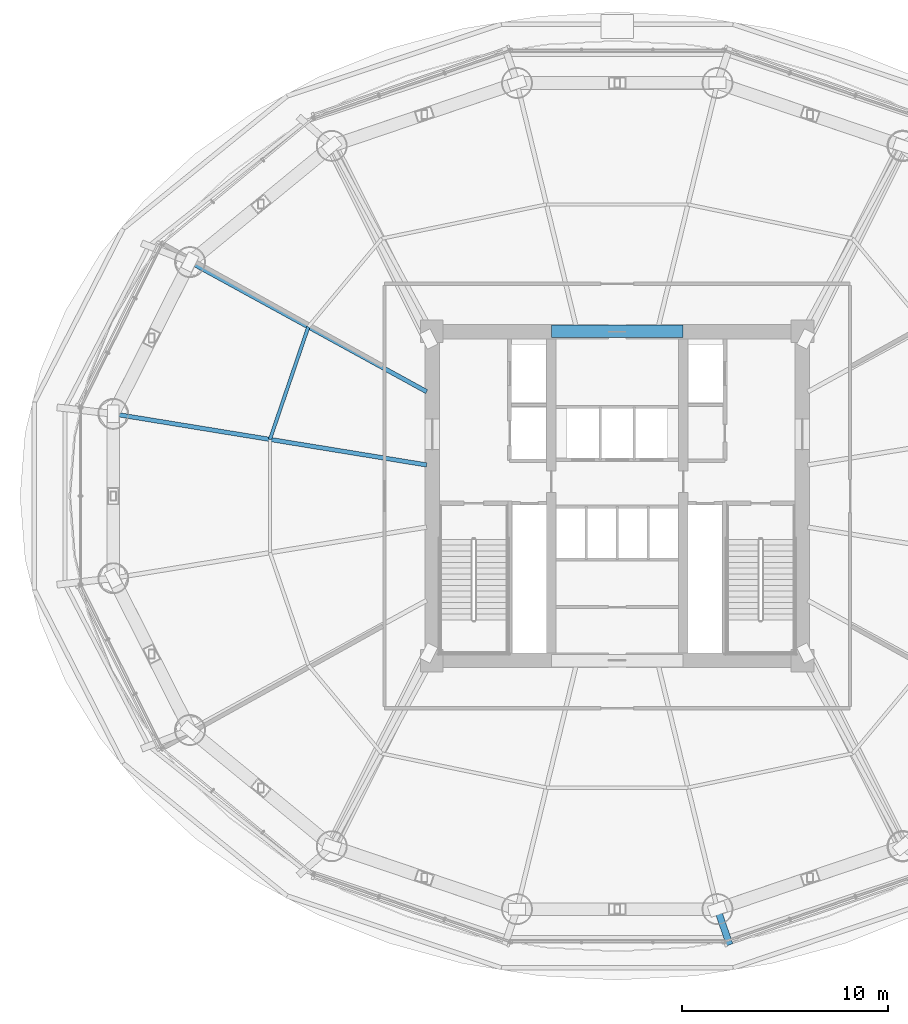
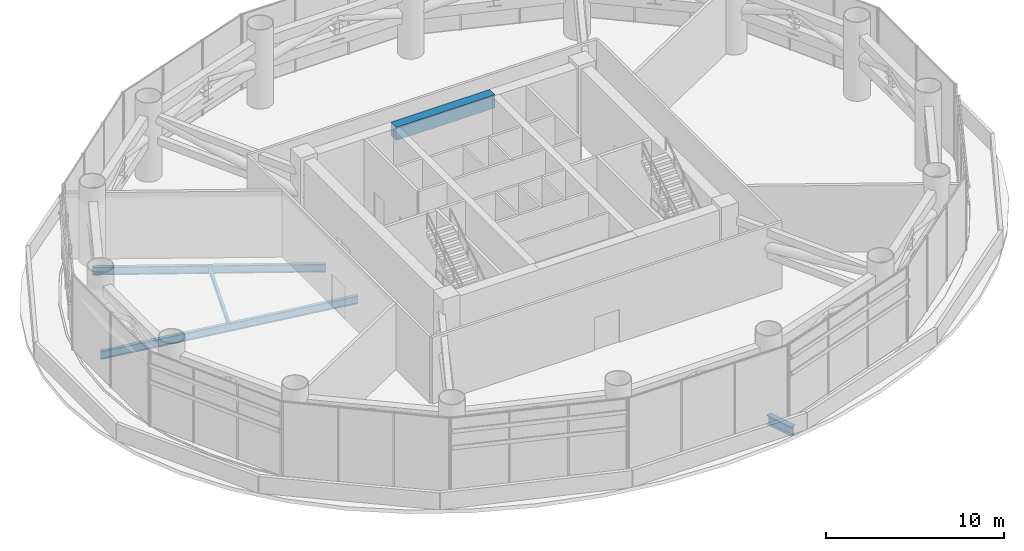
# One storey, part 11 of 33: 5 beams.
"""IFC4 building model written with IfcOpenShell, lengths in metres."""

from ifc_helpers import new_model, si_unit, direction, frame, origin, origin_2d, place, context, subcontext, project, spatial, rectangle, i_section, extrude, material, material_profile, profile_set, type_object, element, save


model = new_model("IFC4")

# Units and contexts
model_context = context("Model", 3, precision=1e-05, world=origin(), true_north=direction((-0.2419218956, 0.970295726276)))
body_context = subcontext(model_context, "Body", "Model", "MODEL_VIEW")
ifc_project = project(units=[si_unit("LENGTHUNIT", "METRE"), si_unit("AREAUNIT", "SQUARE_METRE"), si_unit("VOLUMEUNIT", "CUBIC_METRE"), si_unit("PLANEANGLEUNIT", "RADIAN"), si_unit("MASSUNIT", "GRAM", prefix="KILO")], contexts=[model_context])

# Site, building, storey
site_placement = place(None, origin())
site = spatial("IfcSite", under=ifc_project, at=site_placement, CompositionType="ELEMENT")
building_placement = place(site_placement, origin())
building = spatial("IfcBuilding", under=site, at=building_placement, Name="Cobrevalo Terracotta Tower", CompositionType="ELEMENT")
storey_placement = place(building_placement, frame((0.0, 0.0, 74.39990234375)))
storey = spatial("IfcBuildingStorey", under=building, at=storey_placement, Name="L19", CompositionType="ELEMENT", Elevation=74.39990234375)

# Beams
ifc_material_1 = material(Name="Concrete C60", Category="concrete")
ifc_material_profile_1 = material_profile(ifc_material_1, rectangle(XDim=0.60009765625, YDim=0.89990234375, at=origin_2d()), Name="RC CB 600x900")
ifc_profile_set_1 = profile_set([ifc_material_profile_1], Name="Concrete C60")
beam_type_1 = type_object("IfcBeamType", Name="Structural Beam RC CB 600x900 (Concrete C60)", PredefinedType="BEAM", material=ifc_profile_set_1)
beam_1_placement = place(storey_placement, frame((34.800048828125, 34.800048828125, 4.675048828125), z_axis=(1.0, 0.0, 0.0), x_axis=(0.0, 1.0, 0.0)))
element("IfcBeam", 1, at=beam_1_placement, inside=storey, type_object=beam_type_1, Name="L19 core coupling beam 2", PredefinedType="BEAM", context=body_context, shape_type="SweptSolid", body=[
    extrude(rectangle(XDim=0.60009765625, YDim=0.89990234375, at=origin_2d()), origin(), (0.0, 0.0, 1.0), 6.39990234375),
])
ifc_material_2 = material(Name="Steel S355", Category="steel")
ifc_material_profile_2 = material_profile(ifc_material_2, i_section(OverallWidth=0.2109375, OverallDepth=0.5390625, WebThickness=0.01171875, FlangeThickness=0.018798828125, at=origin_2d()), Name="W 530x109")
ifc_profile_set_2 = profile_set([ifc_material_profile_2], Name="Steel S355")
beam_type_2 = type_object("IfcBeamType", Name="Structural Beam W 530x109 (Steel S355)", PredefinedType="BEAM", material=ifc_profile_set_2)
beam_2_placement = place(storey_placement, frame((17.2548828125, 38.161376953125, -0.719482421875), z_axis=(0.877081687032, -0.480341247732, 0.0), x_axis=(0.480341247732, 0.877081687032, 0.0)))
element("IfcBeam", 2, at=beam_2_placement, inside=storey, type_object=beam_type_2, Name="L19 radial floor girder 07", PredefinedType="BEAM", context=body_context, shape_type="SweptSolid", body=[
    extrude(i_section(OverallWidth=0.2109375, OverallDepth=0.5390625, WebThickness=0.01171875, FlangeThickness=0.018798828125, at=origin_2d()), origin(), (0.0, 0.0, 1.0), 13.1005859375),
])
beam_3_placement = place(storey_placement, frame((13.529296875, 30.78955078125, -0.719482421875), z_axis=(0.986968986681, -0.160910594212, 0.0), x_axis=(0.160910594212, 0.986968986681, 0.0)))
element("IfcBeam", 3, at=beam_3_placement, inside=storey, type_object=beam_type_2, Name="L19 radial floor girder 08", PredefinedType="BEAM", context=body_context, shape_type="SweptSolid", body=[
    extrude(i_section(OverallWidth=0.2109375, OverallDepth=0.5390625, WebThickness=0.01171875, FlangeThickness=0.018798828125, at=origin_2d()), origin(), (0.0, 0.0, 1.0), 15.416748046875),
])
ifc_material_profile_3 = material_profile(ifc_material_2, i_section(OverallWidth=0.3291015625, OverallDepth=0.635009765625, WebThickness=0.017822265625, FlangeThickness=0.031005859375, at=origin_2d()), Name="W 610x241")
ifc_profile_set_3 = profile_set([ifc_material_profile_3], Name="Steel S355")
beam_type_3 = type_object("IfcBeamType", Name="Structural Beam W 610x241 (Steel S355)", PredefinedType="BEAM", material=ifc_profile_set_3)
beam_4_placement = place(storey_placement, frame((43.458251953125, 5.01025390625, -0.767333984375), z_axis=(-0.322741812578, 0.946487042919, 0.0), x_axis=(-0.946487042919, -0.322741812578, 0.0)))
element("IfcBeam", 4, at=beam_4_placement, inside=storey, type_object=beam_type_3, Name="L19 setback step-link girder 13", PredefinedType="BEAM", context=body_context, shape_type="SweptSolid", body=[
    extrude(i_section(OverallWidth=0.3291015625, OverallDepth=0.635009765625, WebThickness=0.017822265625, FlangeThickness=0.031005859375, at=origin_2d()), origin(), (0.0, 0.0, 1.0), 1.83056640625),
])
ifc_material_profile_4 = material_profile(ifc_material_2, i_section(OverallWidth=0.1650390625, OverallDepth=0.31005859375, WebThickness=0.005859375, FlangeThickness=0.009765625, at=origin_2d()), Name="W 310x38.7")
ifc_profile_set_4 = profile_set([ifc_material_profile_4], Name="Steel S355")
beam_type_4 = type_object("IfcBeamType", Name="Structural Joist W 310x38.7 (Steel S355)", PredefinedType="JOIST", material=ifc_profile_set_4)
beam_5_placement = place(storey_placement, frame((23.0, 35.01513671875, -0.60498046875), z_axis=(-0.322587842666, -0.94653953101, 0.0), x_axis=(0.94653953101, -0.322587842666, 0.0)))
element("IfcBeam", 5, at=beam_5_placement, inside=storey, type_object=beam_type_4, Name="L19 circumferential secondary floor joist 07", PredefinedType="JOIST", context=body_context, shape_type="SweptSolid", body=[
    extrude(i_section(OverallWidth=0.1650390625, OverallDepth=0.31005859375, WebThickness=0.005859375, FlangeThickness=0.009765625, at=origin_2d()), origin(), (0.0, 0.0, 1.0), 5.7744140625),
])

save(model, "model.ifc")
